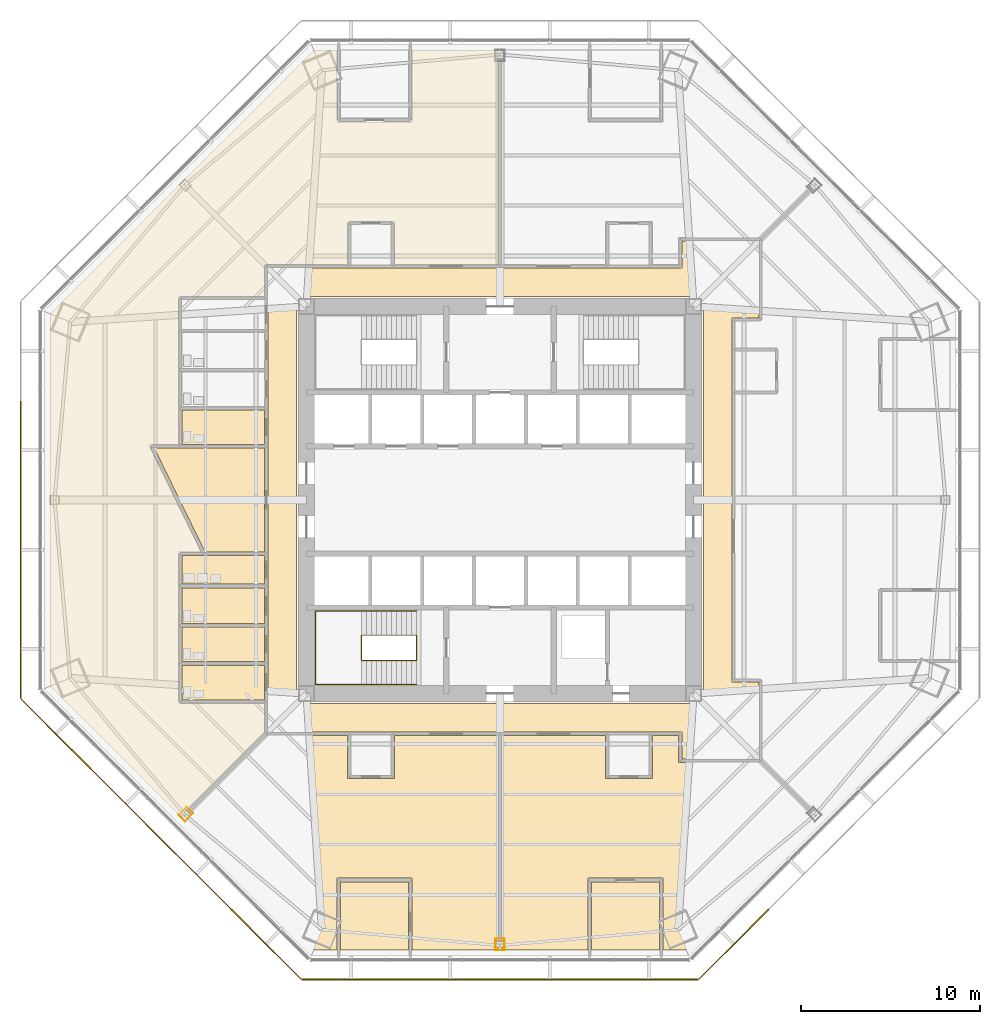
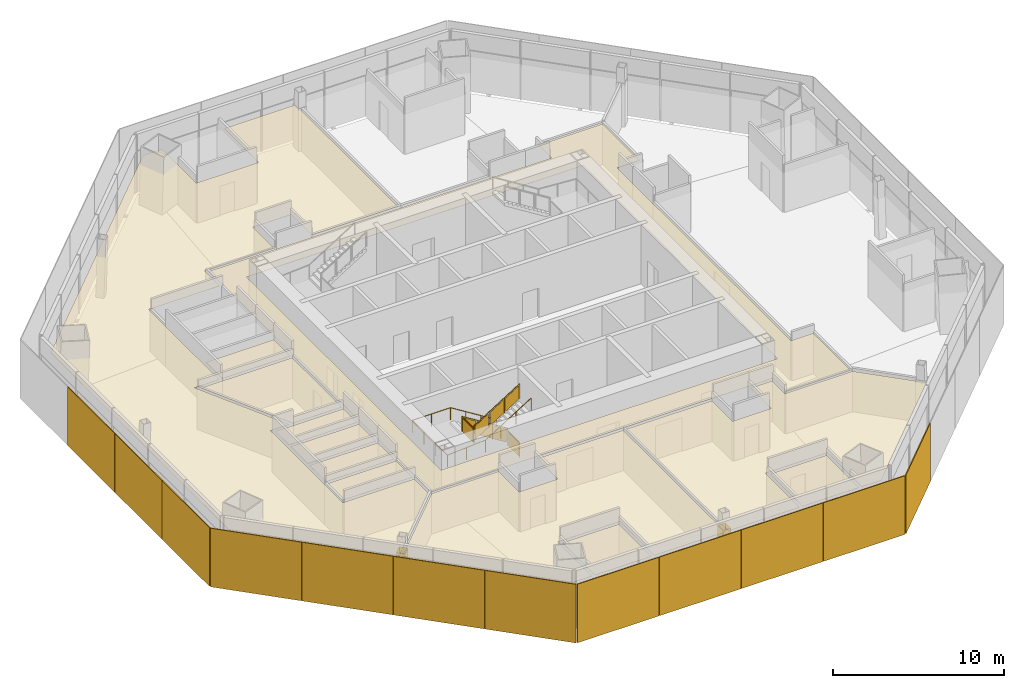
# One storey, part 15 of 18: 14 coverings, 12 shading devices, 2 railings.
"""IFC4 building model written with IfcOpenShell, lengths in metres."""

import ifcopenshell
import ifcopenshell.guid

model = None  # the IFC model being written
_history = None  # IfcOwnerHistory: only IFC2X3 demands one
_inside = {}  # id of a spatial element -> (the spatial element, [elements in it])
_under = {}  # id of a project, library or spatial element -> (it, [spatial elements below it])
_declared = {}  # id of a project -> (the project, [libraries it declares])
_typed = {}  # id of a type object -> (the type object, [elements of that type])
_made_of = {}  # id of a material, layer set ... -> (it, [elements and type objects made of it])


def new_model(schema):
    """Start an empty IFC model of exactly this schema.

    Asked for "IFC4X3", IfcOpenShell would pick the latest addendum, in which some entities
    have other attributes; the version numbers below select the first issue.
    IFC2X3 requires an IfcOwnerHistory on every rooted entity: one is made here for all.
    """
    global model, _history
    if schema == "IFC4X3":
        model = ifcopenshell.file(schema_version=(4, 3, 0, 0))
    else:
        model = ifcopenshell.file(schema=schema)
    _inside.clear()
    _under.clear()
    _declared.clear()
    _typed.clear()
    _made_of.clear()
    _history = None
    if model.schema == "IFC2X3":
        org = make("IfcOrganization", Name="unknown")
        user = make(
            "IfcPersonAndOrganization",
            ThePerson=make("IfcPerson", FamilyName="unknown"),
            TheOrganization=org,
        )
        app = make(
            "IfcApplication",
            ApplicationDeveloper=org,
            Version="unknown",
            ApplicationFullName="unknown",
            ApplicationIdentifier="unknown",
        )
        _history = make(
            "IfcOwnerHistory",
            OwningUser=user,
            OwningApplication=app,
            ChangeAction="ADDED",
            CreationDate=0,
        )
    return model


def make(cls, **values):
    """One entity of the class cls with the attributes given. An attribute that is None is left unset."""
    return model.create_entity(
        cls, **{name: value for name, value in values.items() if value is not None}
    )


def rooted(cls, **values):
    """An entity with a GlobalId (a new one), such as an element, a storey or a relation."""
    return make(cls, GlobalId=ifcopenshell.guid.new(), OwnerHistory=_history, **values)


def si_unit(unit_type, name, prefix=None):
    """IfcSIUnit, for example si_unit("LENGTHUNIT", "METRE", prefix="MILLI")."""
    return make("IfcSIUnit", UnitType=unit_type, Prefix=prefix, Name=name)


def assignment(units):
    """IfcUnitAssignment: the units of a project."""
    return None if units is None else make("IfcUnitAssignment", Units=units)


def point(xyz):
    """IfcCartesianPoint."""
    return None if xyz is None else make("IfcCartesianPoint", Coordinates=xyz)


def direction(xyz):
    """IfcDirection."""
    return None if xyz is None else make("IfcDirection", DirectionRatios=xyz)


def frame(location, z_axis=None, x_axis=None):
    """IfcAxis2Placement3D, a coordinate frame: its origin and axes. An axis left out is left unset."""
    return make(
        "IfcAxis2Placement3D",
        Location=point(location),
        Axis=direction(z_axis),
        RefDirection=direction(x_axis),
    )


def frame_2d(location, x_axis=None):
    """IfcAxis2Placement2D, a coordinate frame in the plane: its origin and x axis."""
    return make(
        "IfcAxis2Placement2D", Location=point(location), RefDirection=direction(x_axis)
    )


def origin():
    """The frame at (0, 0, 0) with its axes left unset."""
    return frame((0.0, 0.0, 0.0))


def origin_2d():
    """The frame at (0, 0) in the plane with its x axis left unset."""
    return frame_2d((0.0, 0.0))


def place(relative_to, where):
    """IfcLocalPlacement: puts the frame where relative to a parent placement (None: the world)."""
    return make(
        "IfcLocalPlacement", PlacementRelTo=relative_to, RelativePlacement=where
    )


def context(
    kind, dimensions, precision=None, world=None, true_north=None, identifier=None
):
    """IfcGeometricRepresentationContext, for example the 3D "Model" context."""
    return make(
        "IfcGeometricRepresentationContext",
        ContextIdentifier=identifier,
        ContextType=kind,
        CoordinateSpaceDimension=dimensions,
        Precision=precision,
        WorldCoordinateSystem=world,
        TrueNorth=true_north,
    )


def subcontext(parent, identifier, kind, view, scale=None):
    """IfcGeometricRepresentationSubContext, for example "Body" below "Model"."""
    return make(
        "IfcGeometricRepresentationSubContext",
        ContextIdentifier=identifier,
        ContextType=kind,
        ParentContext=parent,
        TargetScale=scale,
        TargetView=view,
    )


def project(units=None, contexts=None):
    """IfcProject with its units and contexts."""
    return rooted(
        "IfcProject",
        Name="project",
        RepresentationContexts=contexts,
        UnitsInContext=assignment(units),
    )


def spatial(cls, under=None, at=None, **own):
    """A site, building, storey or space (cls), placed at a placement, below another one or the project."""
    s = rooted(cls, ObjectPlacement=at, **own)
    if under is not None:
        _under.setdefault(under.id(), (under, []))[1].append(s)
    return s


def polyline(points):
    """IfcPolyline through the points."""
    return make("IfcPolyline", Points=[point(p) for p in points])


def profile(cls, at=None, kind="AREA", **sizes):
    """A parametric profile (cls). Its sizes go by their IFC names, for example OverallWidth=200.0."""
    return make(cls, ProfileType=kind, Position=at, **sizes)


def rectangle(**sizes):
    """IfcRectangleProfileDef."""
    return profile("IfcRectangleProfileDef", **sizes)


def circle(**sizes):
    """IfcCircleProfileDef."""
    return profile("IfcCircleProfileDef", **sizes)


def outline(outer, holes=None, kind="AREA"):
    """IfcArbitraryClosedProfileDef: a profile drawn as a closed curve; with holes, ...WithVoids."""
    if holes is None:
        return make("IfcArbitraryClosedProfileDef", ProfileType=kind, OuterCurve=outer)
    return make(
        "IfcArbitraryProfileDefWithVoids",
        ProfileType=kind,
        OuterCurve=outer,
        InnerCurves=holes,
    )


def extrude(swept, where, along, depth):
    """IfcExtrudedAreaSolid: the profile swept, set in the frame where, extruded along a direction by depth."""
    return make(
        "IfcExtrudedAreaSolid",
        SweptArea=swept,
        Position=where,
        ExtrudedDirection=direction(along),
        Depth=depth,
    )


def shape(context_of_items, identifier, shape_type, items):
    """IfcShapeRepresentation: the items that make up one representation, for example the "Body"."""
    return make(
        "IfcShapeRepresentation",
        ContextOfItems=context_of_items,
        RepresentationIdentifier=identifier,
        RepresentationType=shape_type,
        Items=items,
    )


def source(mapping_origin, context_of_items, identifier, shape_type, items):
    """IfcRepresentationMap: a shape defined once, which mapped items show again and again."""
    return make(
        "IfcRepresentationMap",
        MappingOrigin=mapping_origin,
        MappedRepresentation=shape(context_of_items, identifier, shape_type, items),
    )


def transform(
    local_origin,
    x_axis=None,
    y_axis=None,
    z_axis=None,
    scale=None,
    scale2=None,
    scale3=None,
    uniform=True,
):
    """IfcCartesianTransformationOperator3D, or its non-uniform kind. x_axis, y_axis, z_axis: its Axis1, 2, 3."""
    if uniform:
        return make(
            "IfcCartesianTransformationOperator3D",
            Axis1=direction(x_axis),
            Axis2=direction(y_axis),
            LocalOrigin=point(local_origin),
            Scale=scale,
            Axis3=direction(z_axis),
        )
    return make(
        "IfcCartesianTransformationOperator3DnonUniform",
        Axis1=direction(x_axis),
        Axis2=direction(y_axis),
        LocalOrigin=point(local_origin),
        Scale=scale,
        Axis3=direction(z_axis),
        Scale2=scale2,
        Scale3=scale3,
    )


def mapped(mapping_source, mapping_target):
    """IfcMappedItem: shows the shape of a source again, moved by a transform."""
    return make(
        "IfcMappedItem", MappingSource=mapping_source, MappingTarget=mapping_target
    )


def material(Name=None, Category=None):
    """IfcMaterial."""
    return make("IfcMaterial", Name=Name, Category=Category)


def layer(
    of_material, thickness, ventilated=None, Name=None, Category=None, Priority=None
):
    """IfcMaterialLayer: one layer of a wall or slab, of a material (None: an air gap)."""
    return make(
        "IfcMaterialLayer",
        Material=of_material,
        LayerThickness=thickness,
        IsVentilated=ventilated,
        Name=Name,
        Category=Category,
        Priority=Priority,
    )


def layer_set(layers, Name=None):
    """IfcMaterialLayerSet."""
    return make("IfcMaterialLayerSet", MaterialLayers=layers, LayerSetName=Name)


def made_of(thing, what):
    """Note that an element or type object is made of a material, layer set ...; save() writes the relation."""
    if what is not None:
        _made_of.setdefault(what.id(), (what, []))[1].append(thing)
    return thing


def type_object(cls, material=None, **own):
    """A type object (cls), such as IfcWallType, which elements share."""
    return made_of(rooted(cls, **own), material)


def type_shapes(of_type, sources):
    """Give a type object the sources (RepresentationMaps) that its elements show as mapped items."""
    of_type.RepresentationMaps = sources


def element(
    cls,
    number,
    at=None,
    inside=None,
    cuts=None,
    type_object=None,
    material=None,
    context=None,
    identifier="Body",
    shape_type=None,
    held_by="IfcProductDefinitionShape",
    body=None,
    shapes=None,
    **own,
):
    """One element of the class cls, such as IfcWall. Its Tag is "e" and its number.

    at: its placement. inside: the storey or other place that contains it. cuts: it is an
    opening in that element (IfcRelVoidsElement). A single representation is given by context,
    identifier, shape_type and body (its items); several are given by shapes. held_by: the class
    of the entity that holds the representations. save() writes the other relations.
    """
    e = rooted(cls, Tag="e%d" % number, ObjectPlacement=at, **own)
    if body is not None:
        shapes = [shape(context, identifier, shape_type, body)]
    if shapes is not None:
        e.Representation = make(held_by, Representations=shapes)
    if inside is not None:
        _inside.setdefault(inside.id(), (inside, []))[1].append(e)
    if cuts is not None:
        rooted(
            "IfcRelVoidsElement", RelatingBuildingElement=cuts, RelatedOpeningElement=e
        )
    if type_object is not None:
        _typed.setdefault(type_object.id(), (type_object, []))[1].append(e)
    return made_of(e, material)


def aggregate(whole, parts):
    """IfcRelAggregates: a whole, such as a stair, and the parts it consists of."""
    return rooted("IfcRelAggregates", RelatingObject=whole, RelatedObjects=parts)


def save(model, path):
    """Write the relations noted so far, then the file.

    IfcRelAggregates (storeys below a building ...), IfcRelContainedInSpatialStructure (elements
    in a storey), IfcRelDefinesByType, IfcRelAssociatesMaterial and IfcRelDeclares: one each for
    every whole, place, type object, material and project.
    """
    for whole, parts in _under.values():
        aggregate(whole, parts)
    for where, things in _inside.values():
        rooted(
            "IfcRelContainedInSpatialStructure",
            RelatedElements=things,
            RelatingStructure=where,
        )
    for kind, things in _typed.values():
        rooted("IfcRelDefinesByType", RelatedObjects=things, RelatingType=kind)
    for what, things in _made_of.values():
        rooted("IfcRelAssociatesMaterial", RelatedObjects=things, RelatingMaterial=what)
    for by, libraries in _declared.values():
        rooted("IfcRelDeclares", RelatingContext=by, RelatedDefinitions=libraries)
    model.write(path)


model = new_model("IFC4")

# Units and contexts
model_context = context("Model", 3, precision=1e-05, world=origin(), true_north=direction((0.0, 1.0)))
body_context = subcontext(model_context, "Body", "Model", "MODEL_VIEW")
ifc_project = project(units=[si_unit("LENGTHUNIT", "METRE"), si_unit("AREAUNIT", "SQUARE_METRE"), si_unit("VOLUMEUNIT", "CUBIC_METRE"), si_unit("PLANEANGLEUNIT", "RADIAN"), si_unit("MASSUNIT", "GRAM", prefix="KILO")], contexts=[model_context])

# Site, building, storey
site_placement = place(None, origin())
site = spatial("IfcSite", under=ifc_project, at=site_placement, CompositionType="ELEMENT")
building_placement = place(site_placement, origin())
building = spatial("IfcBuilding", under=site, at=building_placement, Name="Mashrafa Tower", CompositionType="ELEMENT")
storey_placement = place(building_placement, frame((0.0, 0.0, 83.39990234375)))
storey = spatial("IfcBuildingStorey", under=building, at=storey_placement, Name="L18", CompositionType="ELEMENT", Elevation=83.39990234375)

# Coverings
ifc_material_1 = material(Name="Gypsum board")
ifc_layer_1 = layer(ifc_material_1, 0.014892578125)
ifc_layer_set_1 = layer_set([ifc_layer_1], Name="Column casing plasterboard 15")
covering_type_1 = type_object("IfcCoveringType", Name="Column casing plasterboard 15", PredefinedType="CLADDING", material=ifc_layer_set_1)
covering_1_placement = place(storey_placement, origin())
element("IfcCovering", 1, at=covering_1_placement, inside=storey, type_object=covering_type_1, Name="Column casing L18-003", PredefinedType="CLADDING", context=body_context, shape_type="SweptSolid", body=[
    extrude(outline(polyline([(-17.9501953125, -17.575439453125), (-17.491455078125, -17.11669921875), (-17.11669921875, -17.491455078125), (-17.575439453125, -17.9501953125), (-17.9501953125, -17.575439453125)]), holes=[polyline([(-17.1376953125, -17.491455078125), (-17.491455078125, -17.1376953125), (-17.92919921875, -17.575439453125), (-17.575439453125, -17.92919921875), (-17.1376953125, -17.491455078125)])]), origin(), (0.0, 0.0, 1.0), 3.11328125),
])
covering_2_placement = place(storey_placement, origin())
element("IfcCovering", 2, at=covering_2_placement, inside=storey, type_object=covering_type_1, Name="Column casing L18-004", PredefinedType="CLADDING", context=body_context, shape_type="SweptSolid", body=[
    extrude(outline(polyline([(-0.264892578125, -24.471435546875), (0.264892578125, -24.471435546875), (0.264892578125, -25.12060546875), (-0.264892578125, -25.12060546875), (-0.264892578125, -24.471435546875)]), holes=[polyline([(0.25, -25.10546875), (0.25, -24.486572265625), (-0.25, -24.486572265625), (-0.25, -25.10546875), (0.25, -25.10546875)])]), origin(), (0.0, 0.0, 1.0), 3.06494140625),
])

# Railings
ifc_material_2 = material(Name="Steel guard with glass infill", Category="steel")
railing_type_1 = type_object("IfcRailingType", Name="Stair guard 1100", PredefinedType="GUARDRAIL", material=ifc_material_2)
railing_1_placement = place(storey_placement, frame((-4.64990234375, -8.949951171875, 0.0)))
element("IfcRailing", 3, at=railing_1_placement, inside=storey, type_object=railing_type_1, Name="Stair S3 guard L18", PredefinedType="GUARDRAIL", context=body_context, shape_type="SweptSolid", body=[
    extrude(circle(Radius=0.02392578125, at=origin_2d()), frame((0.0, 0.0, 1.076171875), z_axis=(0.0, 1.0, 0.0), x_axis=(-1.0, 0.0, 0.0)), (0.0, 0.0, 1.0), 1.39990234375),
    extrude(circle(Radius=0.02392578125, at=origin_2d()), frame((0.0, 1.39990234375, 1.076171875), z_axis=(0.0, 0.0, 1.0), x_axis=(1.0, 0.0, 0.0)), (0.0, 0.0, 1.0), 0.175048828125),
    extrude(circle(Radius=0.02392578125, at=origin_2d()), frame((0.0, 1.39990234375, 1.2509765625), z_axis=(-0.847998304005, 0.0, 0.529998940003), x_axis=(0.0, -1.0, 0.0)), (0.0, 0.0, 1.0), 3.632080078125),
    extrude(circle(Radius=0.02392578125, at=origin_2d()), frame((-3.080078125, 1.39990234375, 3.17626953125), z_axis=(0.0, -1.0, 0.0), x_axis=(1.0, 0.0, 0.0)), (0.0, 0.0, 1.0), 1.39990234375),
    extrude(circle(Radius=0.02392578125, at=origin_2d()), frame((-3.080078125, 0.0, 3.17626953125), z_axis=(0.0, 0.0, 1.0), x_axis=(1.0, 0.0, 0.0)), (0.0, 0.0, 1.0), 0.175048828125),
    extrude(circle(Radius=0.02392578125, at=origin_2d()), frame((-3.080078125, 0.0, 3.35107421875), z_axis=(0.847998304005, 0.0, 0.529998940003), x_axis=(0.0, 1.0, 0.0)), (0.0, 0.0, 1.0), 3.632080078125),
    extrude(circle(Radius=0.02099609375, at=origin_2d()), origin(), (0.0, 0.0, 1.0), 1.052001953125),
    extrude(circle(Radius=0.02099609375, at=origin_2d()), frame((0.0, 1.39990234375, 0.0)), (0.0, 0.0, 1.0), 1.052001953125),
    extrude(circle(Radius=0.02099609375, at=origin_2d()), frame((0.0, 1.39990234375, 0.175048828125)), (0.0, 0.0, 1.0), 1.052001953125),
    extrude(circle(Radius=0.02099609375, at=origin_2d()), frame((-1.026611328125, 1.39990234375, 0.816650390625)), (0.0, 0.0, 1.0), 1.052001953125),
    extrude(circle(Radius=0.02099609375, at=origin_2d()), frame((-2.053466796875, 1.39990234375, 1.45849609375)), (0.0, 0.0, 1.0), 1.052001953125),
    extrude(circle(Radius=0.02099609375, at=origin_2d()), frame((-3.080078125, 1.39990234375, 2.10009765625)), (0.0, 0.0, 1.0), 1.052001953125),
    extrude(circle(Radius=0.02099609375, at=origin_2d()), frame((-3.080078125, 0.0, 2.10009765625)), (0.0, 0.0, 1.0), 1.052001953125),
    extrude(circle(Radius=0.02099609375, at=origin_2d()), frame((-3.080078125, 0.0, 2.275146484375)), (0.0, 0.0, 1.0), 1.052001953125),
    extrude(circle(Radius=0.02099609375, at=origin_2d()), frame((-2.053466796875, 0.0, 2.916748046875)), (0.0, 0.0, 1.0), 1.052001953125),
    extrude(circle(Radius=0.02099609375, at=origin_2d()), frame((-1.026611328125, 0.0, 3.55859375)), (0.0, 0.0, 1.0), 1.052001953125),
    extrude(circle(Radius=0.02099609375, at=origin_2d()), frame((0.0, 0.0, 4.2001953125)), (0.0, 0.0, 1.0), 1.052001953125),
    extrude(outline(polyline([(0.071044921875, 0.050048828125), (1.328857421875, 0.050048828125), (1.328857421875, 1.001953125), (0.071044921875, 1.001953125), (0.071044921875, 0.050048828125)])), frame((0.006103515625, 0.0, 0.0), z_axis=(1.0, 0.0, 0.0), x_axis=(0.0, 1.0, 0.0)), (0.0, 0.0, 1.0), 0.011962890625),
    extrude(outline(polyline([(0.071044921875, 0.094482421875), (0.955810546875, 0.647216796875), (0.955810546875, 1.599365234375), (0.071044921875, 1.04638671875), (0.071044921875, 0.094482421875)])), frame((0.0, 1.406005859375, 0.175048828125), z_axis=(0.0, 1.0, 0.0), x_axis=(-1.0, 0.0, 0.0)), (0.0, 0.0, 1.0), 0.011962890625),
    extrude(outline(polyline([(1.09765625, 0.736083984375), (1.982421875, 1.2890625), (1.982421875, 2.240966796875), (1.09765625, 1.68798828125), (1.09765625, 0.736083984375)])), frame((0.0, 1.406005859375, 0.175048828125), z_axis=(0.0, 1.0, 0.0), x_axis=(-1.0, 0.0, 0.0)), (0.0, 0.0, 1.0), 0.011962890625),
    extrude(outline(polyline([(2.124267578125, 1.377685546875), (3.009033203125, 1.9306640625), (3.009033203125, 2.882568359375), (2.124267578125, 2.329833984375), (2.124267578125, 1.377685546875)])), frame((0.0, 1.406005859375, 0.175048828125), z_axis=(0.0, 1.0, 0.0), x_axis=(-1.0, 0.0, 0.0)), (0.0, 0.0, 1.0), 0.011962890625),
    extrude(outline(polyline([(0.071044921875, 0.050048828125), (1.328857421875, 0.050048828125), (1.328857421875, 1.001953125), (0.071044921875, 1.001953125), (0.071044921875, 0.050048828125)])), frame((-3.086181640625, 1.39990234375, 2.10009765625), z_axis=(-1.0, 0.0, 0.0), x_axis=(0.0, -1.0, 0.0)), (0.0, 0.0, 1.0), 0.011962890625),
    extrude(outline(polyline([(0.071044921875, 0.094482421875), (0.955810546875, 0.647216796875), (0.955810546875, 1.599365234375), (0.071044921875, 1.04638671875), (0.071044921875, 0.094482421875)])), frame((-3.080078125, -0.006103515625, 2.275146484375), z_axis=(0.0, -1.0, 0.0), x_axis=(1.0, 0.0, 0.0)), (0.0, 0.0, 1.0), 0.011962890625),
    extrude(outline(polyline([(1.09765625, 0.736083984375), (1.982421875, 1.2890625), (1.982421875, 2.240966796875), (1.09765625, 1.68798828125), (1.09765625, 0.736083984375)])), frame((-3.080078125, -0.006103515625, 2.275146484375), z_axis=(0.0, -1.0, 0.0), x_axis=(1.0, 0.0, 0.0)), (0.0, 0.0, 1.0), 0.011962890625),
    extrude(outline(polyline([(2.124267578125, 1.377685546875), (3.009033203125, 1.9306640625), (3.009033203125, 2.882568359375), (2.124267578125, 2.329833984375), (2.124267578125, 1.377685546875)])), frame((-3.080078125, -0.006103515625, 2.275146484375), z_axis=(0.0, -1.0, 0.0), x_axis=(1.0, 0.0, 0.0)), (0.0, 0.0, 1.0), 0.011962890625),
])
ifc_material_3 = material(Name="Steel", Category="steel")
railing_type_2 = type_object("IfcRailingType", Name="Stair handrail 900", PredefinedType="HANDRAIL", material=ifc_material_3)
railing_2_placement = place(storey_placement, frame((-4.64990234375, -6.199951171875, 0.175048828125)))
element("IfcRailing", 4, at=railing_2_placement, inside=storey, type_object=railing_type_2, Name="Stair S3 handrail L18", PredefinedType="HANDRAIL", context=body_context, shape_type="SweptSolid", body=[
    extrude(circle(Radius=0.02392578125, at=origin_2d()), frame((0.0, 0.0, 0.8759765625), z_axis=(-0.847998304005, 0.0, 0.529998940003), x_axis=(0.0, -1.0, 0.0)), (0.0, 0.0, 1.0), 3.632080078125),
    extrude(circle(Radius=0.02392578125, at=origin_2d()), frame((-3.080078125, 0.0, 2.80078125), z_axis=(-1.0, 0.0, 0.0), x_axis=(0.0, -1.0, 0.0)), (0.0, 0.0, 1.0), 2.570068359375),
    extrude(circle(Radius=0.02392578125, at=origin_2d()), frame((-5.650146484375, 0.0, 2.80078125), z_axis=(0.0, -1.0, 0.0), x_axis=(1.0, 0.0, 0.0)), (0.0, 0.0, 1.0), 4.10009765625),
    extrude(circle(Radius=0.02392578125, at=origin_2d()), frame((-5.650146484375, -4.10009765625, 2.80078125), z_axis=(0.997688514158, 0.0, 0.067953136188), x_axis=(0.0, 1.0, 0.0)), (0.0, 0.0, 1.0), 2.575927734375),
    extrude(circle(Radius=0.02392578125, at=origin_2d()), frame((-3.080078125, -4.10009765625, 2.97607421875), z_axis=(0.847998304005, 0.0, 0.529998940003), x_axis=(0.0, 1.0, 0.0)), (0.0, 0.0, 1.0), 3.632080078125),
    extrude(circle(Radius=0.02099609375, at=origin_2d()), origin(), (0.0, 0.0, 1.0), 0.851806640625),
    extrude(circle(Radius=0.02099609375, at=origin_2d()), frame((-1.026611328125, 0.0, 0.6416015625)), (0.0, 0.0, 1.0), 0.851806640625),
    extrude(circle(Radius=0.02099609375, at=origin_2d()), frame((-2.053466796875, 0.0, 1.283447265625)), (0.0, 0.0, 1.0), 0.851806640625),
    extrude(circle(Radius=0.02099609375, at=origin_2d()), frame((-3.080078125, 0.0, 1.925048828125)), (0.0, 0.0, 1.0), 0.851806640625),
    extrude(circle(Radius=0.02099609375, at=origin_2d()), frame((-4.365234375, 0.0, 1.925048828125)), (0.0, 0.0, 1.0), 0.851806640625),
    extrude(circle(Radius=0.02099609375, at=origin_2d()), frame((-5.650146484375, 0.0, 1.925048828125)), (0.0, 0.0, 1.0), 0.851806640625),
    extrude(circle(Radius=0.02099609375, at=origin_2d()), frame((-5.650146484375, -1.36669921875, 1.925048828125)), (0.0, 0.0, 1.0), 0.851806640625),
    extrude(circle(Radius=0.02099609375, at=origin_2d()), frame((-5.650146484375, -2.7333984375, 1.925048828125)), (0.0, 0.0, 1.0), 0.851806640625),
    extrude(circle(Radius=0.02099609375, at=origin_2d()), frame((-5.650146484375, -4.10009765625, 1.925048828125)), (0.0, 0.0, 1.0), 0.851806640625),
    extrude(circle(Radius=0.02099609375, at=origin_2d()), frame((-4.365234375, -4.10009765625, 2.0126953125)), (0.0, 0.0, 1.0), 0.851806640625),
    extrude(circle(Radius=0.02099609375, at=origin_2d()), frame((-3.080078125, -4.10009765625, 2.10009765625)), (0.0, 0.0, 1.0), 0.851806640625),
    extrude(circle(Radius=0.02099609375, at=origin_2d()), frame((-2.053466796875, -4.10009765625, 2.74169921875)), (0.0, 0.0, 1.0), 0.851806640625),
    extrude(circle(Radius=0.02099609375, at=origin_2d()), frame((-1.026611328125, -4.10009765625, 3.383544921875)), (0.0, 0.0, 1.0), 0.851806640625),
    extrude(circle(Radius=0.02099609375, at=origin_2d()), frame((0.0, -4.10009765625, 4.025146484375)), (0.0, 0.0, 1.0), 0.851806640625),
])

# Coverings
ifc_material_4 = material(Name="Mineral fibre tile on suspension grid")
ifc_layer_2 = layer(ifc_material_4, 0.014892578125)
ifc_layer_set_2 = layer_set([ifc_layer_2], Name="Suspended ceiling mineral tile 15")
covering_type_2 = type_object("IfcCoveringType", Name="Suspended ceiling mineral tile 15", PredefinedType="CEILING", material=ifc_layer_set_2)
covering_3_placement = place(storey_placement, frame((0.0, 0.0, 2.900146484375)))
element("IfcCovering", 5, at=covering_3_placement, inside=storey, type_object=covering_type_2, Name="Ceiling Office Corridor L18", PredefinedType="CEILING", context=body_context, shape_type="SweptSolid", body=[
    extrude(outline(polyline([(14.449951171875, -10.14990234375), (14.449951171875, -14.449951171875), (10.14990234375, -14.449951171875), (10.14990234375, -12.949951171875), (-12.949951171875, -12.949951171875), (-12.949951171875, 12.949951171875), (10.14990234375, 12.949951171875), (10.14990234375, 14.449951171875), (14.449951171875, 14.449951171875), (14.449951171875, 10.14990234375), (12.949951171875, 10.14990234375), (12.949951171875, -10.14990234375), (14.449951171875, -10.14990234375)]), holes=[polyline([(11.35009765625, 11.35009765625), (-11.35009765625, 11.35009765625), (-11.35009765625, -11.35009765625), (11.35009765625, -11.35009765625), (11.35009765625, 11.35009765625)])]), origin(), (0.0, 0.0, 1.0), 0.014892578125),
])
covering_4_placement = place(storey_placement, frame((0.0, 0.0, 2.900146484375)))
element("IfcCovering", 6, at=covering_4_placement, inside=storey, type_object=covering_type_2, Name="Ceiling WC Female L18 N", PredefinedType="CEILING", context=body_context, shape_type="SweptSolid", body=[
    extrude(outline(polyline([(-17.75, 3.10009765625), (-17.75, 5.02490234375), (-13.14990234375, 5.02490234375), (-13.14990234375, 3.10009765625), (-17.75, 3.10009765625)])), origin(), (0.0, 0.0, 1.0), 0.014892578125),
])
covering_5_placement = place(storey_placement, frame((0.0, 0.0, 2.900146484375)))
element("IfcCovering", 7, at=covering_5_placement, inside=storey, type_object=covering_type_2, Name="Ceiling WC Female L18 S", PredefinedType="CEILING", context=body_context, shape_type="SweptSolid", body=[
    extrude(outline(polyline([(-17.75, -11.14990234375), (-17.75, -9.22509765625), (-13.14990234375, -9.22509765625), (-13.14990234375, -11.14990234375), (-17.75, -11.14990234375)])), origin(), (0.0, 0.0, 1.0), 0.014892578125),
])
covering_6_placement = place(storey_placement, frame((0.0, 0.0, 2.900146484375)))
element("IfcCovering", 8, at=covering_6_placement, inside=storey, type_object=covering_type_2, Name="Ceiling WC Male L18 S", PredefinedType="CEILING", context=body_context, shape_type="SweptSolid", body=[
    extrude(outline(polyline([(-17.75, -9.02490234375), (-17.75, -7.10009765625), (-13.14990234375, -7.10009765625), (-13.14990234375, -9.02490234375), (-17.75, -9.02490234375)])), origin(), (0.0, 0.0, 1.0), 0.014892578125),
])
covering_7_placement = place(storey_placement, frame((0.0, 0.0, 2.900146484375)))
element("IfcCovering", 9, at=covering_7_placement, inside=storey, type_object=covering_type_2, Name="Ceiling Accessible WC L18 S", PredefinedType="CEILING", context=body_context, shape_type="SweptSolid", body=[
    extrude(outline(polyline([(-17.75, -6.89990234375), (-17.75, -4.89990234375), (-13.14990234375, -4.89990234375), (-13.14990234375, -6.89990234375), (-17.75, -6.89990234375)])), origin(), (0.0, 0.0, 1.0), 0.014892578125),
])
covering_8_placement = place(storey_placement, frame((0.0, 0.0, 2.900146484375)))
element("IfcCovering", 10, at=covering_8_placement, inside=storey, type_object=covering_type_2, Name="Ceiling Ablution Room L18 S", PredefinedType="CEILING", context=body_context, shape_type="SweptSolid", body=[
    extrude(outline(polyline([(-17.75, -4.699951171875), (-17.75, -3.10009765625), (-13.14990234375, -3.10009765625), (-13.14990234375, -4.699951171875), (-17.75, -4.699951171875)])), origin(), (0.0, 0.0, 1.0), 0.014892578125),
])
covering_9_placement = place(storey_placement, frame((0.0, 0.0, 2.900146484375)))
element("IfcCovering", 11, at=covering_9_placement, inside=storey, type_object=covering_type_2, Name="Ceiling Musallah Prayer Room 18", PredefinedType="CEILING", context=body_context, shape_type="SweptSolid", body=[
    extrude(outline(polyline([(-16.461181640625, -2.89990234375), (-19.2900390625, 2.89990234375), (-13.14990234375, 2.89990234375), (-13.14990234375, -2.89990234375), (-16.461181640625, -2.89990234375)])), origin(), (0.0, 0.0, 1.0), 0.014892578125),
])
covering_10_placement = place(storey_placement, frame((0.0, 0.0, 2.900146484375)))
element("IfcCovering", 12, at=covering_10_placement, inside=storey, type_object=covering_type_2, Name="Ceiling Manager's Office 18-SE", PredefinedType="CEILING", context=body_context, shape_type="SweptSolid", body=[
    extrude(outline(polyline([(5.10009765625, -21.305419921875), (8.89990234375, -21.305419921875), (8.89990234375, -25.10546875), (5.10009765625, -25.10546875), (5.10009765625, -21.305419921875)])), origin(), (0.0, 0.0, 1.0), 0.014892578125),
])
covering_11_placement = place(storey_placement, frame((0.0, 0.0, 2.900146484375)))
element("IfcCovering", 13, at=covering_11_placement, inside=storey, type_object=covering_type_2, Name="Ceiling Manager's Office 18-SW", PredefinedType="CEILING", context=body_context, shape_type="SweptSolid", body=[
    extrude(outline(polyline([(-8.89990234375, -21.305419921875), (-5.10009765625, -21.305419921875), (-5.10009765625, -25.10546875), (-8.89990234375, -25.10546875), (-8.89990234375, -21.305419921875)])), origin(), (0.0, 0.0, 1.0), 0.014892578125),
])
covering_12_placement = place(storey_placement, frame((0.0, 0.0, 2.900146484375)))
element("IfcCovering", 14, at=covering_12_placement, inside=storey, type_object=covering_type_2, Name="Ceiling Office Suite 18-NW", PredefinedType="CEILING", context=body_context, shape_type="SweptSolid", body=[
    extrude(outline(polyline([(-13.14990234375, -13.008544921875), (-17.822998046875, -17.681396484375), (-25.10546875, -10.39892578125), (-25.10546875, 10.39892578125), (-10.39892578125, 25.10546875), (-9.10009765625, 25.10546875), (-9.10009765625, 21.10546875), (-4.89990234375, 21.10546875), (-4.89990234375, 25.10546875), (-0.10009765625, 25.10546875), (-0.10009765625, 13.14990234375), (-5.89990234375, 13.14990234375), (-5.89990234375, 15.550048828125), (-8.5, 15.550048828125), (-8.5, 13.14990234375), (-13.14990234375, 13.14990234375), (-13.14990234375, 11.35009765625), (-17.949951171875, 11.35009765625), (-17.949951171875, 3.10009765625), (-19.610107421875, 3.10009765625), (-16.68359375, -2.89990234375), (-17.949951171875, -2.89990234375), (-17.949951171875, -11.35009765625), (-13.14990234375, -11.35009765625), (-13.14990234375, -13.008544921875)])), origin(), (0.0, 0.0, 1.0), 0.014892578125),
])
covering_13_placement = place(storey_placement, frame((0.0, 0.0, 2.900146484375)))
element("IfcCovering", 15, at=covering_13_placement, inside=storey, type_object=covering_type_2, Name="Ceiling Office Suite 18-SE", PredefinedType="CEILING", context=body_context, shape_type="SweptSolid", body=[
    extrude(outline(polyline([(14.508544921875, -14.64990234375), (17.681396484375, -17.822998046875), (10.39892578125, -25.10546875), (9.10009765625, -25.10546875), (9.10009765625, -21.10546875), (4.89990234375, -21.10546875), (4.89990234375, -25.10546875), (0.10009765625, -25.10546875), (0.10009765625, -13.14990234375), (5.89990234375, -13.14990234375), (5.89990234375, -15.550048828125), (8.5, -15.550048828125), (8.5, -13.14990234375), (9.949951171875, -13.14990234375), (9.949951171875, -14.64990234375), (14.508544921875, -14.64990234375)])), origin(), (0.0, 0.0, 1.0), 0.014892578125),
])
covering_14_placement = place(storey_placement, frame((0.0, 0.0, 2.900146484375)))
element("IfcCovering", 16, at=covering_14_placement, inside=storey, type_object=covering_type_2, Name="Ceiling Office Suite 18-SW", PredefinedType="CEILING", context=body_context, shape_type="SweptSolid", body=[
    extrude(outline(polyline([(-0.10009765625, -25.10546875), (-4.89990234375, -25.10546875), (-4.89990234375, -21.10546875), (-9.10009765625, -21.10546875), (-9.10009765625, -25.10546875), (-10.39892578125, -25.10546875), (-17.681396484375, -17.822998046875), (-13.008544921875, -13.14990234375), (-8.5, -13.14990234375), (-8.5, -15.550048828125), (-5.89990234375, -15.550048828125), (-5.89990234375, -13.14990234375), (-0.10009765625, -13.14990234375), (-0.10009765625, -25.10546875)])), origin(), (0.0, 0.0, 1.0), 0.014892578125),
])

# Shading devices
ifc_material_5 = material(Name="Perforated aluminium plate, eight-point star pattern", Category="aluminium")
ifc_layer_3 = layer(ifc_material_5, 0.06005859375)
ifc_layer_set_3 = layer_set([ifc_layer_3], Name="Mashrabiya screen panel office zone 1, 45 percent open")
shading_device_type = type_object("IfcShadingDeviceType", Name="Mashrabiya screen panel office zone 1, 45 percent open", PredefinedType="SHUTTER", material=ifc_layer_set_3)
shared_shape = source(origin(), body_context, "Body", "SweptSolid", [
    extrude(rectangle(XDim=5.510009765625, YDim=0.06005859375, at=origin_2d()), origin(), (0.0, 0.0, 1.0), 4.179931640625),
])
type_shapes(shading_device_type, [shared_shape])
for number, where, z_axis, x_axis, name in (
    (17, (-26.75537109375, 2.764892578125, -0.14990234375), (0.0, 0.0, 1.0), (0.0, -1.0, 0.0), "Mashrabiya screen L18 west 2"),
    (18, (-26.75537109375, -2.764892578125, -0.14990234375), (0.0, 0.0, 1.0), (0.0, -1.0, 0.0), "Mashrabiya screen L18 west 3"),
    (19, (-26.75537109375, -8.294921875, -0.14990234375), (0.0, 0.0, 1.0), (0.0, -1.0, 0.0), "Mashrabiya screen L18 west 4"),
    (20, (-24.784423828125, -13.053466796875, -0.14990234375), (0.0, 0.0, 1.0), (0.707106781187, -0.707106781187, 0.0), "Mashrabiya screen L18 south-west 1"),
    (21, (-20.8740234375, -16.9638671875, -0.14990234375), (0.0, 0.0, 1.0), (0.707106781187, -0.707106781187, 0.0), "Mashrabiya screen L18 south-west 2"),
    (22, (-16.9638671875, -20.8740234375, -0.14990234375), (0.0, 0.0, 1.0), (0.707106781187, -0.707106781187, 0.0), "Mashrabiya screen L18 south-west 3"),
    (23, (-13.053466796875, -24.784423828125, -0.14990234375), (0.0, 0.0, 1.0), (0.707106781187, -0.707106781187, 0.0), "Mashrabiya screen L18 south-west 4"),
    (24, (-8.294921875, -26.75537109375, -0.14990234375), (0.0, 0.0, 1.0), (1.0, 0.0, 0.0), "Mashrabiya screen L18 south 1"),
    (25, (-2.764892578125, -26.75537109375, -0.14990234375), (0.0, 0.0, 1.0), (1.0, 0.0, 0.0), "Mashrabiya screen L18 south 2"),
    (26, (2.764892578125, -26.75537109375, -0.14990234375), (0.0, 0.0, 1.0), (1.0, 0.0, 0.0), "Mashrabiya screen L18 south 3"),
    (27, (8.294921875, -26.75537109375, -0.14990234375), (0.0, 0.0, 1.0), (1.0, 0.0, 0.0), "Mashrabiya screen L18 south 4"),
    (28, (13.053466796875, -24.784423828125, -0.14990234375), (0.0, 0.0, 1.0), (0.707106781187, 0.707106781187, 0.0), "Mashrabiya screen L18 south-east 1"),
):
    element("IfcShadingDevice", number, at=place(storey_placement, frame(where, z_axis=z_axis, x_axis=x_axis)), inside=storey, type_object=shading_device_type, Name=name, PredefinedType="SHUTTER", context=body_context, shape_type="MappedRepresentation", body=[
        mapped(shared_shape, transform((0.0, 0.0, 0.0))),
    ])

save(model, "model.ifc")
